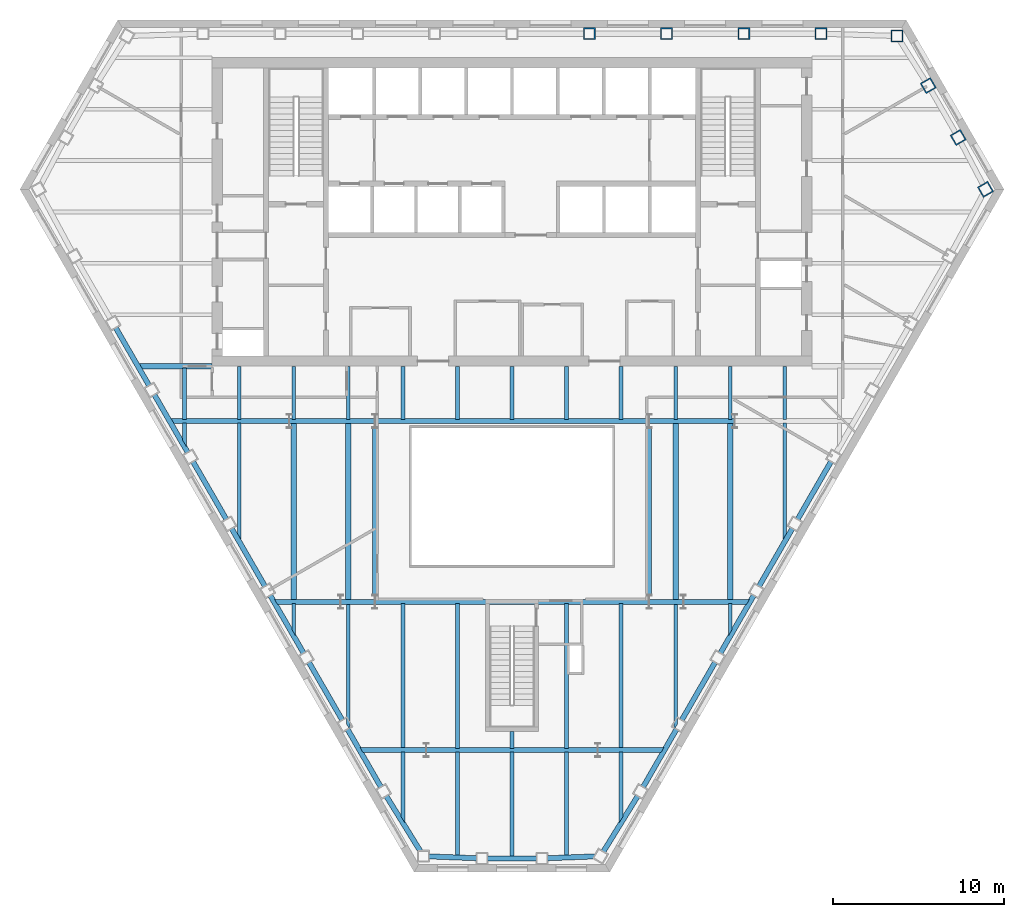
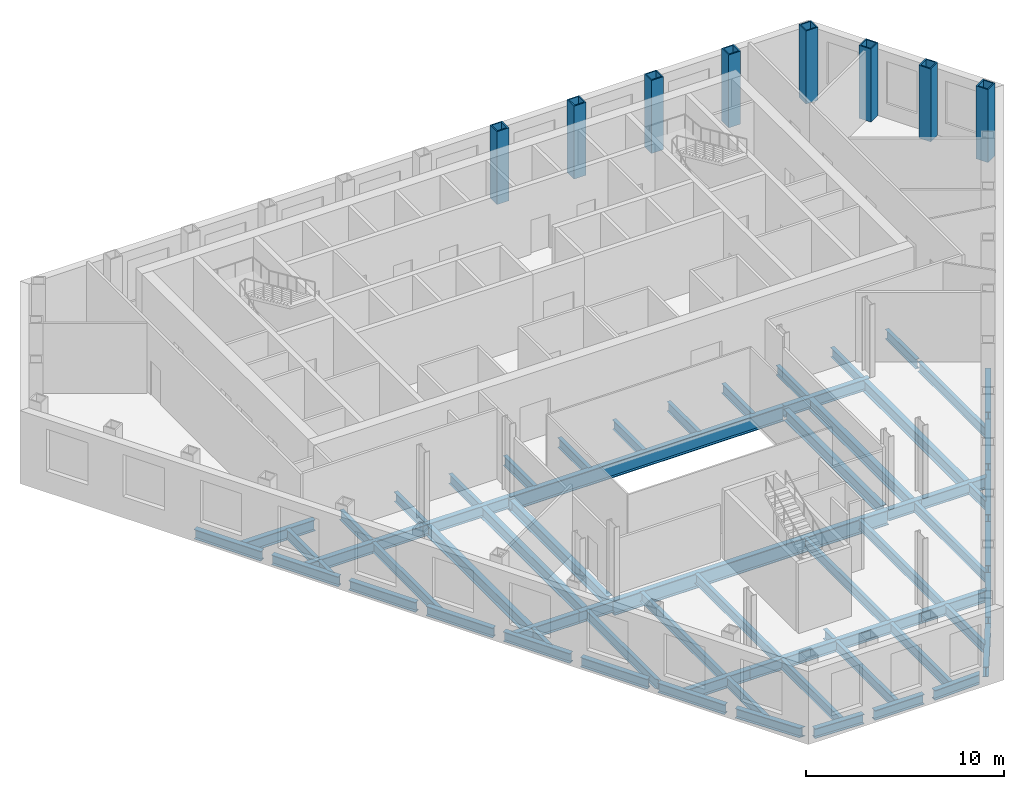
# One storey, part 2 of 10: 65 beams, 8 columns.
"""IFC4 building model written with IfcOpenShell, lengths in metres."""

from ifc_helpers import new_model, si_unit, direction, frame, origin, origin_2d, place, context, subcontext, project, spatial, hollow_rectangle, i_section, extrude, clip, halfspace, material, material_profile, profile_set, type_object, element, save


model = new_model("IFC4")

# Units and contexts
model_context = context("Model", 3, precision=1e-05, world=origin(), true_north=direction((0.0, 1.0)))
body_context = subcontext(model_context, "Body", "Model", "MODEL_VIEW")
ifc_project = project(units=[si_unit("LENGTHUNIT", "METRE"), si_unit("AREAUNIT", "SQUARE_METRE"), si_unit("VOLUMEUNIT", "CUBIC_METRE"), si_unit("PLANEANGLEUNIT", "RADIAN"), si_unit("MASSUNIT", "GRAM", prefix="KILO")], contexts=[model_context])

# Site, building, storey
site_placement = place(None, origin())
site = spatial("IfcSite", under=ifc_project, at=site_placement, CompositionType="ELEMENT")
building_placement = place(site_placement, origin())
building = spatial("IfcBuilding", under=site, at=building_placement, Name="Njiva Tower", CompositionType="ELEMENT")
storey_placement = place(building_placement, frame((0.0, 0.0, 51.3)))
storey = spatial("IfcBuildingStorey", under=building, at=storey_placement, Name="L10", CompositionType="ELEMENT", Elevation=51.3)

# Columns
ifc_material = material(Name="Steel S355 J2", Category="steel")
ifc_material_profile_1 = material_profile(ifc_material, hollow_rectangle(XDim=0.7, YDim=0.7, WallThickness=0.07, at=origin_2d()), Name="BOX 700x700x70")
ifc_profile_set_1 = profile_set([ifc_material_profile_1], Name="Steel S355 J2")
column_type = type_object("IfcColumnType", Name="C5 Perimeter tube column BOX 700x700x70", PredefinedType="COLUMN", material=ifc_profile_set_1)
for number, where, z_axis, x_axis, name in (
    (1, (22.461, 19.267, 0.0), (0.0, 0.0, 1.0), (-1.0, 0.0, 0.0), "Perimeter tube column S03-C01"),
    (2, (18.03, 19.4, 0.0), (0.0, 0.0, 1.0), (-1.0, 0.0, 0.0), "Perimeter tube column S03-C02"),
    (3, (13.523, 19.4, 0.0), (0.0, 0.0, 1.0), (-1.0, 0.0, 0.0), "Perimeter tube column S03-C03"),
    (4, (9.015, 19.4, 0.0), (0.0, 0.0, 1.0), (-1.0, 0.0, 0.0), "Perimeter tube column S03-C04"),
    (5, (4.508, 19.4, 0.0), (0.0, 0.0, 1.0), (-1.0, 0.0, 0.0), "Perimeter tube column S03-C05"),
    (6, (27.628, 10.319, 0.0), (0.0, 0.0, 1.0), (-0.5, 0.866025403784, 0.0), "Perimeter tube column S03-C37"),
    (7, (26.034, 13.346, 0.0), (0.0, 0.0, 1.0), (-0.5, 0.866025403784, 0.0), "Perimeter tube column S03-C38"),
    (8, (24.286, 16.373, 0.0), (0.0, 0.0, 1.0), (-0.5, 0.866025403784, 0.0), "Perimeter tube column S03-C39"),
):
    element("IfcColumn", number, at=place(storey_placement, frame(where, z_axis=z_axis, x_axis=x_axis)), inside=storey, type_object=column_type, Name=name, PredefinedType="COLUMN", context=body_context, shape_type="SweptSolid", body=[
        extrude(hollow_rectangle(XDim=0.7, YDim=0.7, WallThickness=0.07, at=origin_2d()), origin(), (0.0, 0.0, 1.0), 4.5),
    ])

# Beams
ifc_material_profile_2 = material_profile(ifc_material, i_section(OverallWidth=0.3, OverallDepth=0.69, WebThickness=0.0145, FlangeThickness=0.027, at=origin_2d()), Name="HEA 700")
ifc_profile_set_2 = profile_set([ifc_material_profile_2], Name="Steel S355 J2")
beam_type_1 = type_object("IfcBeamType", Name="B12 Long-span floor joist HEA 700", PredefinedType="JOIST", material=ifc_profile_set_2)
for number, where, z_axis, x_axis, name in (
    (9, (-12.733, -3.3, -0.545), (0.0, -1.0, 0.0), (1.0, 0.0, 0.0), "Long-span floor joist S03-B065"),
    (10, (-9.55, -3.3, -0.545), (0.0, -1.0, 0.0), (1.0, 0.0, 0.0), "Long-span floor joist S03-B069"),
    (11, (9.55, -3.3, -0.545), (0.0, -1.0, 0.0), (1.0, 0.0, 0.0), "Long-span floor joist S03-B088"),
    (12, (12.733, -3.3, -0.545), (0.0, -1.0, 0.0), (1.0, 0.0, 0.0), "Long-span floor joist S03-B091"),
):
    element("IfcBeam", number, at=place(storey_placement, frame(where, z_axis=z_axis, x_axis=x_axis)), inside=storey, type_object=beam_type_1, Name=name, PredefinedType="JOIST", context=body_context, shape_type="SweptSolid", body=[
        extrude(i_section(OverallWidth=0.3, OverallDepth=0.69, WebThickness=0.0145, FlangeThickness=0.027, at=origin_2d()), origin(), (0.0, 0.0, 1.0), 10.35),
    ])
ifc_material_profile_3 = material_profile(ifc_material, i_section(OverallWidth=0.22, OverallDepth=0.6, WebThickness=0.012, FlangeThickness=0.019, at=origin_2d()), Name="IPE 600")
ifc_profile_set_3 = profile_set([ifc_material_profile_3], Name="Steel S355 J2")
beam_type_2 = type_object("IfcBeamType", Name="B13 Floor joist IPE 600", PredefinedType="JOIST", material=ifc_profile_set_3)
beam_1_placement = place(storey_placement, frame((-15.917, -3.3, -0.5), z_axis=(0.0, -1.0, 0.0), x_axis=(1.0, 0.0, 0.0)))
element("IfcBeam", 13, at=beam_1_placement, inside=storey, type_object=beam_type_2, Name="Floor joist S03-B062", PredefinedType="JOIST", context=body_context, shape_type="Clipping", body=[
    clip(extrude(i_section(OverallWidth=0.22, OverallDepth=0.6, WebThickness=0.012, FlangeThickness=0.019, at=origin_2d()), origin(), (0.0, 0.0, 1.0), 6.942), halfspace(frame((-0.043, 0.0, 6.6564), z_axis=(-0.866026552831, 0.0, 0.499998009787), x_axis=(0.0, 1.0, 0.0)), False)),
])
beam_2_placement = place(storey_placement, frame((-9.55, -13.85, -0.5), z_axis=(0.0, -1.0, 0.0), x_axis=(1.0, 0.0, 0.0)))
element("IfcBeam", 14, at=beam_2_placement, inside=storey, type_object=beam_type_2, Name="Floor joist S03-B068", PredefinedType="JOIST", context=body_context, shape_type="Clipping", body=[
    clip(extrude(i_section(OverallWidth=0.22, OverallDepth=0.6, WebThickness=0.012, FlangeThickness=0.019, at=origin_2d()), origin(), (0.0, 0.0, 1.0), 7.42), halfspace(frame((-0.0433, 0.0, 7.1338), z_axis=(-0.866026552831, 0.0, 0.499998009787), x_axis=(0.0, 1.0, 0.0)), False)),
])
for number, where, z_axis, x_axis, name in (
    (15, (-6.367, -13.851, -0.5), (0.0, -1.0, 0.0), (1.0, 0.0, 0.0), "Floor joist S03-B072"),
    (16, (-3.183, -13.851, -0.5), (0.0, -1.0, 0.0), (1.0, 0.0, 0.0), "Floor joist S03-B075"),
):
    element("IfcBeam", number, at=place(storey_placement, frame(where, z_axis=z_axis, x_axis=x_axis)), inside=storey, type_object=beam_type_2, Name=name, PredefinedType="JOIST", context=body_context, shape_type="SweptSolid", body=[
        extrude(i_section(OverallWidth=0.22, OverallDepth=0.6, WebThickness=0.012, FlangeThickness=0.019, at=origin_2d()), origin(), (0.0, 0.0, 1.0), 8.449),
    ])
beam_3_placement = place(storey_placement, frame((-3.183, -22.5, -0.5), z_axis=(0.0, -1.0, 0.0), x_axis=(1.0, 0.0, 0.0)))
element("IfcBeam", 17, at=beam_3_placement, inside=storey, type_object=beam_type_2, Name="Floor joist S03-B074", PredefinedType="JOIST", context=body_context, shape_type="SweptSolid", body=[
    extrude(i_section(OverallWidth=0.22, OverallDepth=0.6, WebThickness=0.012, FlangeThickness=0.019, at=origin_2d()), origin(), (0.0, 0.0, 1.0), 6.059),
])
beam_4_placement = place(storey_placement, frame((0.0, -22.5, -0.5), z_axis=(0.0, -1.0, 0.0), x_axis=(1.0, 0.0, 0.0)))
element("IfcBeam", 18, at=beam_4_placement, inside=storey, type_object=beam_type_2, Name="Floor joist S03-B077", PredefinedType="JOIST", context=body_context, shape_type="SweptSolid", body=[
    extrude(i_section(OverallWidth=0.22, OverallDepth=0.6, WebThickness=0.012, FlangeThickness=0.019, at=origin_2d()), origin(), (0.0, 0.0, 1.0), 6.119),
])
beam_5_placement = place(storey_placement, frame((3.183, -13.851, -0.5), z_axis=(0.0, -1.0, 0.0), x_axis=(1.0, 0.0, 0.0)))
element("IfcBeam", 19, at=beam_5_placement, inside=storey, type_object=beam_type_2, Name="Floor joist S03-B081", PredefinedType="JOIST", context=body_context, shape_type="SweptSolid", body=[
    extrude(i_section(OverallWidth=0.22, OverallDepth=0.6, WebThickness=0.012, FlangeThickness=0.019, at=origin_2d()), origin(), (0.0, 0.0, 1.0), 8.449),
])
beam_6_placement = place(storey_placement, frame((3.183, -22.5, -0.5), z_axis=(0.0, -1.0, 0.0), x_axis=(1.0, 0.0, 0.0)))
element("IfcBeam", 20, at=beam_6_placement, inside=storey, type_object=beam_type_2, Name="Floor joist S03-B080", PredefinedType="JOIST", context=body_context, shape_type="SweptSolid", body=[
    extrude(i_section(OverallWidth=0.22, OverallDepth=0.6, WebThickness=0.012, FlangeThickness=0.019, at=origin_2d()), origin(), (0.0, 0.0, 1.0), 6.059),
])
beam_7_placement = place(storey_placement, frame((6.367, -13.851, -0.5), z_axis=(0.0, -1.0, 0.0), x_axis=(1.0, 0.0, 0.0)))
element("IfcBeam", 21, at=beam_7_placement, inside=storey, type_object=beam_type_2, Name="Floor joist S03-B084", PredefinedType="JOIST", context=body_context, shape_type="SweptSolid", body=[
    extrude(i_section(OverallWidth=0.22, OverallDepth=0.6, WebThickness=0.012, FlangeThickness=0.019, at=origin_2d()), origin(), (0.0, 0.0, 1.0), 8.449),
])
beam_8_placement = place(storey_placement, frame((9.55, -13.85, -0.5), z_axis=(0.0, -1.0, 0.0), x_axis=(1.0, 0.0, 0.0)))
element("IfcBeam", 22, at=beam_8_placement, inside=storey, type_object=beam_type_2, Name="Floor joist S03-B087", PredefinedType="JOIST", context=body_context, shape_type="Clipping", body=[
    clip(extrude(i_section(OverallWidth=0.22, OverallDepth=0.6, WebThickness=0.012, FlangeThickness=0.019, at=origin_2d()), origin(), (0.0, 0.0, 1.0), 7.42), halfspace(frame((0.0433, 0.0, 7.1338), z_axis=(0.866026552831, 0.0, 0.499998009787), x_axis=(0.0, 1.0, 0.0)), False)),
])
beam_9_placement = place(storey_placement, frame((15.917, -3.3, -0.5), z_axis=(0.0, -1.0, 0.0), x_axis=(1.0, 0.0, 0.0)))
element("IfcBeam", 23, at=beam_9_placement, inside=storey, type_object=beam_type_2, Name="Floor joist S03-B093", PredefinedType="JOIST", context=body_context, shape_type="Clipping", body=[
    clip(extrude(i_section(OverallWidth=0.22, OverallDepth=0.6, WebThickness=0.012, FlangeThickness=0.019, at=origin_2d()), origin(), (0.0, 0.0, 1.0), 6.942), halfspace(frame((0.043, 0.0, 6.6564), z_axis=(0.866026552831, 0.0, 0.499998009787), x_axis=(0.0, 1.0, 0.0)), False)),
])
ifc_material_profile_4 = material_profile(ifc_material, i_section(OverallWidth=0.22, OverallDepth=0.6, WebThickness=0.012, FlangeThickness=0.019, at=origin_2d()), Name="IPE 600")
ifc_profile_set_4 = profile_set([ifc_material_profile_4], Name="Steel S355 J2")
beam_type_3 = type_object("IfcBeamType", Name="B14 Short-span floor joist IPE 600", PredefinedType="JOIST", material=ifc_profile_set_4)
beam_10_placement = place(storey_placement, frame((-19.1, -0.1, -0.5), z_axis=(0.0, -1.0, 0.0), x_axis=(1.0, 0.0, 0.0)))
element("IfcBeam", 24, at=beam_10_placement, inside=storey, type_object=beam_type_3, Name="Short-span floor joist S03-B061", PredefinedType="JOIST", context=body_context, shape_type="SweptSolid", body=[
    extrude(i_section(OverallWidth=0.22, OverallDepth=0.6, WebThickness=0.012, FlangeThickness=0.019, at=origin_2d()), origin(), (0.0, 0.0, 1.0), 3.0),
])
beam_11_placement = place(storey_placement, frame((-19.1, -3.3, -0.5), z_axis=(0.0, -1.0, 0.0), x_axis=(1.0, 0.0, 0.0)))
element("IfcBeam", 25, at=beam_11_placement, inside=storey, type_object=beam_type_3, Name="Short-span floor joist S03-B060", PredefinedType="JOIST", context=body_context, shape_type="Clipping", body=[
    clip(extrude(i_section(OverallWidth=0.22, OverallDepth=0.6, WebThickness=0.012, FlangeThickness=0.019, at=origin_2d()), origin(), (0.0, 0.0, 1.0), 1.429), halfspace(frame((-0.0433, 0.0, 1.1427), z_axis=(-0.866026552831, 0.0, 0.499998009787), x_axis=(0.0, 1.0, 0.0)), False)),
])
for number, where, z_axis, x_axis, name in (
    (26, (-15.917, -0.005, -0.5), (0.0, -1.0, 0.0), (1.0, 0.0, 0.0), "Short-span floor joist S03-B063"),
    (27, (-12.733, -0.005, -0.5), (0.0, -1.0, 0.0), (1.0, 0.0, 0.0), "Short-span floor joist S03-B066"),
):
    element("IfcBeam", number, at=place(storey_placement, frame(where, z_axis=z_axis, x_axis=x_axis)), inside=storey, type_object=beam_type_3, Name=name, PredefinedType="JOIST", context=body_context, shape_type="SweptSolid", body=[
        extrude(i_section(OverallWidth=0.22, OverallDepth=0.6, WebThickness=0.012, FlangeThickness=0.019, at=origin_2d()), origin(), (0.0, 0.0, 1.0), 3.095),
    ])
beam_12_placement = place(storey_placement, frame((-12.733, -13.85, -0.5), z_axis=(0.0, -1.0, 0.0), x_axis=(1.0, 0.0, 0.0)))
element("IfcBeam", 28, at=beam_12_placement, inside=storey, type_object=beam_type_3, Name="Short-span floor joist S03-B064", PredefinedType="JOIST", context=body_context, shape_type="Clipping", body=[
    clip(extrude(i_section(OverallWidth=0.22, OverallDepth=0.6, WebThickness=0.012, FlangeThickness=0.019, at=origin_2d()), origin(), (0.0, 0.0, 1.0), 1.906), halfspace(frame((-0.0436, 0.0, 1.6201), z_axis=(-0.866026552831, 0.0, 0.499998009787), x_axis=(0.0, 1.0, 0.0)), False)),
])
beam_13_placement = place(storey_placement, frame((-9.55, -0.005, -0.5), z_axis=(0.0, -1.0, 0.0), x_axis=(1.0, 0.0, 0.0)))
element("IfcBeam", 29, at=beam_13_placement, inside=storey, type_object=beam_type_3, Name="Short-span floor joist S03-B070", PredefinedType="JOIST", context=body_context, shape_type="SweptSolid", body=[
    extrude(i_section(OverallWidth=0.22, OverallDepth=0.6, WebThickness=0.012, FlangeThickness=0.019, at=origin_2d()), origin(), (0.0, 0.0, 1.0), 3.095),
])
beam_14_placement = place(storey_placement, frame((-6.367, -0.005, -0.5), z_axis=(0.0, -1.0, 0.0), x_axis=(1.0, 0.0, 0.0)))
element("IfcBeam", 30, at=beam_14_placement, inside=storey, type_object=beam_type_3, Name="Short-span floor joist S03-B073", PredefinedType="JOIST", context=body_context, shape_type="SweptSolid", body=[
    extrude(i_section(OverallWidth=0.22, OverallDepth=0.6, WebThickness=0.012, FlangeThickness=0.019, at=origin_2d()), origin(), (0.0, 0.0, 1.0), 3.094),
])
beam_15_placement = place(storey_placement, frame((-6.367, -22.5, -0.5), z_axis=(0.0, -1.0, 0.0), x_axis=(1.0, 0.0, 0.0)))
element("IfcBeam", 31, at=beam_15_placement, inside=storey, type_object=beam_type_3, Name="Short-span floor joist S03-B071", PredefinedType="JOIST", context=body_context, shape_type="Clipping", body=[
    clip(extrude(i_section(OverallWidth=0.22, OverallDepth=0.6, WebThickness=0.012, FlangeThickness=0.019, at=origin_2d()), origin(), (0.0, 0.0, 1.0), 4.151), halfspace(frame((-0.0422, 0.0, 3.8844), z_axis=(-0.850620428373, 0.0, 0.525780264783), x_axis=(0.0, 1.0, 0.0)), False)),
])
for number, where, z_axis, x_axis, name in (
    (32, (-3.183, -0.005, -0.5), (0.0, -1.0, 0.0), (1.0, 0.0, 0.0), "Short-span floor joist S03-B076"),
    (33, (0.0, -0.005, -0.5), (0.0, -1.0, 0.0), (1.0, 0.0, 0.0), "Short-span floor joist S03-B079"),
):
    element("IfcBeam", number, at=place(storey_placement, frame(where, z_axis=z_axis, x_axis=x_axis)), inside=storey, type_object=beam_type_3, Name=name, PredefinedType="JOIST", context=body_context, shape_type="SweptSolid", body=[
        extrude(i_section(OverallWidth=0.22, OverallDepth=0.6, WebThickness=0.012, FlangeThickness=0.019, at=origin_2d()), origin(), (0.0, 0.0, 1.0), 3.094),
    ])
beam_16_placement = place(storey_placement, frame((0.0, -21.3, -0.5), z_axis=(0.0, -1.0, 0.0), x_axis=(1.0, 0.0, 0.0)))
element("IfcBeam", 34, at=beam_16_placement, inside=storey, type_object=beam_type_3, Name="Short-span floor joist S03-B078", PredefinedType="JOIST", context=body_context, shape_type="SweptSolid", body=[
    extrude(i_section(OverallWidth=0.22, OverallDepth=0.6, WebThickness=0.012, FlangeThickness=0.019, at=origin_2d()), origin(), (0.0, 0.0, 1.0), 1.0),
])
for number, where, z_axis, x_axis, name in (
    (35, (3.183, -0.005, -0.5), (0.0, -1.0, 0.0), (1.0, 0.0, 0.0), "Short-span floor joist S03-B082"),
    (36, (6.367, -0.005, -0.5), (0.0, -1.0, 0.0), (1.0, 0.0, 0.0), "Short-span floor joist S03-B085"),
):
    element("IfcBeam", number, at=place(storey_placement, frame(where, z_axis=z_axis, x_axis=x_axis)), inside=storey, type_object=beam_type_3, Name=name, PredefinedType="JOIST", context=body_context, shape_type="SweptSolid", body=[
        extrude(i_section(OverallWidth=0.22, OverallDepth=0.6, WebThickness=0.012, FlangeThickness=0.019, at=origin_2d()), origin(), (0.0, 0.0, 1.0), 3.094),
    ])
beam_17_placement = place(storey_placement, frame((6.367, -22.5, -0.5), z_axis=(0.0, -1.0, 0.0), x_axis=(1.0, 0.0, 0.0)))
element("IfcBeam", 37, at=beam_17_placement, inside=storey, type_object=beam_type_3, Name="Short-span floor joist S03-B083", PredefinedType="JOIST", context=body_context, shape_type="Clipping", body=[
    clip(extrude(i_section(OverallWidth=0.22, OverallDepth=0.6, WebThickness=0.012, FlangeThickness=0.019, at=origin_2d()), origin(), (0.0, 0.0, 1.0), 4.151), halfspace(frame((0.0422, 0.0, 3.8844), z_axis=(0.850620428373, 0.0, 0.525780264783), x_axis=(0.0, 1.0, 0.0)), False)),
])
for number, where, z_axis, x_axis, name in (
    (38, (9.55, -0.005, -0.5), (0.0, -1.0, 0.0), (1.0, 0.0, 0.0), "Short-span floor joist S03-B089"),
    (39, (12.733, -0.005, -0.5), (0.0, -1.0, 0.0), (1.0, 0.0, 0.0), "Short-span floor joist S03-B092"),
):
    element("IfcBeam", number, at=place(storey_placement, frame(where, z_axis=z_axis, x_axis=x_axis)), inside=storey, type_object=beam_type_3, Name=name, PredefinedType="JOIST", context=body_context, shape_type="SweptSolid", body=[
        extrude(i_section(OverallWidth=0.22, OverallDepth=0.6, WebThickness=0.012, FlangeThickness=0.019, at=origin_2d()), origin(), (0.0, 0.0, 1.0), 3.095),
    ])
beam_18_placement = place(storey_placement, frame((12.733, -13.85, -0.5), z_axis=(0.0, -1.0, 0.0), x_axis=(1.0, 0.0, 0.0)))
element("IfcBeam", 40, at=beam_18_placement, inside=storey, type_object=beam_type_3, Name="Short-span floor joist S03-B090", PredefinedType="JOIST", context=body_context, shape_type="Clipping", body=[
    clip(extrude(i_section(OverallWidth=0.22, OverallDepth=0.6, WebThickness=0.012, FlangeThickness=0.019, at=origin_2d()), origin(), (0.0, 0.0, 1.0), 1.906), halfspace(frame((0.0436, 0.0, 1.6201), z_axis=(0.866026552831, 0.0, 0.499998009787), x_axis=(0.0, 1.0, 0.0)), False)),
])
beam_19_placement = place(storey_placement, frame((15.917, -0.005, -0.5), z_axis=(0.0, -1.0, 0.0), x_axis=(1.0, 0.0, 0.0)))
element("IfcBeam", 41, at=beam_19_placement, inside=storey, type_object=beam_type_3, Name="Short-span floor joist S03-B094", PredefinedType="JOIST", context=body_context, shape_type="SweptSolid", body=[
    extrude(i_section(OverallWidth=0.22, OverallDepth=0.6, WebThickness=0.012, FlangeThickness=0.019, at=origin_2d()), origin(), (0.0, 0.0, 1.0), 3.095),
])
ifc_material_profile_5 = material_profile(ifc_material, i_section(OverallWidth=0.3, OverallDepth=0.69, WebThickness=0.0145, FlangeThickness=0.027, at=origin_2d()), Name="HEA 700")
ifc_profile_set_5 = profile_set([ifc_material_profile_5], Name="Steel S355 J2")
beam_type_4 = type_object("IfcBeamType", Name="B15 Floor girder HEA 700", PredefinedType="BEAM", material=ifc_profile_set_5)
beam_20_placement = place(storey_placement, frame((-19.968, -3.2, -0.545), z_axis=(1.0, 0.0, 0.0), x_axis=(0.0, 1.0, 0.0)))
element("IfcBeam", 42, at=beam_20_placement, inside=storey, type_object=beam_type_4, Name="Floor girder S03-B016", PredefinedType="BEAM", context=body_context, shape_type="Clipping", body=[
    clip(extrude(i_section(OverallWidth=0.3, OverallDepth=0.69, WebThickness=0.0145, FlangeThickness=0.027, at=origin_2d()), origin(), (0.0, 0.0, 1.0), 6.968), halfspace(frame((-0.025, 0.0, 0.1217), z_axis=(-0.499998009787, 0.0, -0.866026552831), x_axis=(0.0, -1.0, 0.0)), False)),
])
for number, where, z_axis, x_axis, name in (
    (43, (-13.0, -3.2, -0.545), (1.0, 0.0, 0.0), (0.0, 1.0, 0.0), "Floor girder S03-B018"),
    (44, (8.0, -3.2, -0.545), (1.0, 0.0, 0.0), (0.0, 1.0, 0.0), "Floor girder S03-B024"),
):
    element("IfcBeam", number, at=place(storey_placement, frame(where, z_axis=z_axis, x_axis=x_axis)), inside=storey, type_object=beam_type_4, Name=name, PredefinedType="BEAM", context=body_context, shape_type="SweptSolid", body=[
        extrude(i_section(OverallWidth=0.3, OverallDepth=0.69, WebThickness=0.0145, FlangeThickness=0.027, at=origin_2d()), origin(), (0.0, 0.0, 1.0), 5.0),
    ])
ifc_material_profile_6 = material_profile(ifc_material, i_section(OverallWidth=0.3, OverallDepth=0.69, WebThickness=0.0145, FlangeThickness=0.027, at=origin_2d()), Name="HEA 700")
ifc_profile_set_6 = profile_set([ifc_material_profile_6], Name="Steel S355 J2")
beam_type_5 = type_object("IfcBeamType", Name="B16 Short-span floor girder HEA 700", PredefinedType="BEAM", material=ifc_profile_set_6)
beam_21_placement = place(storey_placement, frame((-13.877, -13.75, -0.545), z_axis=(1.0, 0.0, 0.0), x_axis=(0.0, 1.0, 0.0)))
element("IfcBeam", 45, at=beam_21_placement, inside=storey, type_object=beam_type_5, Name="Short-span floor girder S03-B017", PredefinedType="BEAM", context=body_context, shape_type="Clipping", body=[
    clip(extrude(i_section(OverallWidth=0.3, OverallDepth=0.69, WebThickness=0.0145, FlangeThickness=0.027, at=origin_2d()), origin(), (0.0, 0.0, 1.0), 3.877), halfspace(frame((-0.025, 0.0, 0.1217), z_axis=(-0.499998009787, 0.0, -0.866026552831), x_axis=(0.0, -1.0, 0.0)), False)),
])
for number, where, z_axis, x_axis, name in (
    (46, (-10.0, -13.75, -0.545), (1.0, 0.0, 0.0), (0.0, 1.0, 0.0), "Short-span floor girder S03-B019"),
    (47, (8.0, -13.75, -0.545), (1.0, 0.0, 0.0), (0.0, 1.0, 0.0), "Short-span floor girder S03-B023"),
):
    element("IfcBeam", number, at=place(storey_placement, frame(where, z_axis=z_axis, x_axis=x_axis)), inside=storey, type_object=beam_type_5, Name=name, PredefinedType="BEAM", context=body_context, shape_type="SweptSolid", body=[
        extrude(i_section(OverallWidth=0.3, OverallDepth=0.69, WebThickness=0.0145, FlangeThickness=0.027, at=origin_2d()), origin(), (0.0, 0.0, 1.0), 2.0),
    ])
beam_22_placement = place(storey_placement, frame((10.0, -13.75, -0.545), z_axis=(1.0, 0.0, 0.0), x_axis=(0.0, 1.0, 0.0)))
element("IfcBeam", 48, at=beam_22_placement, inside=storey, type_object=beam_type_5, Name="Short-span floor girder S03-B025", PredefinedType="BEAM", context=body_context, shape_type="Clipping", body=[
    clip(extrude(i_section(OverallWidth=0.3, OverallDepth=0.69, WebThickness=0.0145, FlangeThickness=0.027, at=origin_2d()), origin(), (0.0, 0.0, 1.0), 3.877), halfspace(frame((-0.025, 0.0, 3.7553), z_axis=(-0.499998009787, 0.0, 0.866026552831), x_axis=(0.0, 1.0, 0.0)), False)),
])
beam_23_placement = place(storey_placement, frame((-8.883, -22.4, -0.545), z_axis=(1.0, 0.0, 0.0), x_axis=(0.0, 1.0, 0.0)))
element("IfcBeam", 49, at=beam_23_placement, inside=storey, type_object=beam_type_5, Name="Short-span floor girder S03-B020", PredefinedType="BEAM", context=body_context, shape_type="Clipping", body=[
    clip(extrude(i_section(OverallWidth=0.3, OverallDepth=0.69, WebThickness=0.0145, FlangeThickness=0.027, at=origin_2d()), origin(), (0.0, 0.0, 1.0), 3.883), halfspace(frame((-0.025, 0.0, 0.1218), z_axis=(-0.499998009787, 0.0, -0.866026552831), x_axis=(0.0, -1.0, 0.0)), False)),
])
beam_24_placement = place(storey_placement, frame((5.0, -22.4, -0.545), z_axis=(1.0, 0.0, 0.0), x_axis=(0.0, 1.0, 0.0)))
element("IfcBeam", 50, at=beam_24_placement, inside=storey, type_object=beam_type_5, Name="Short-span floor girder S03-B022", PredefinedType="BEAM", context=body_context, shape_type="Clipping", body=[
    clip(extrude(i_section(OverallWidth=0.3, OverallDepth=0.69, WebThickness=0.0145, FlangeThickness=0.027, at=origin_2d()), origin(), (0.0, 0.0, 1.0), 3.883), halfspace(frame((-0.025, 0.0, 3.7612), z_axis=(-0.499998009787, 0.0, 0.866026552831), x_axis=(0.0, 1.0, 0.0)), False)),
])
beam_25_placement = place(storey_placement, frame((-21.815, 0.0, -0.545), z_axis=(1.0, 0.0, 0.0), x_axis=(0.0, 1.0, 0.0)))
element("IfcBeam", 51, at=beam_25_placement, inside=storey, type_object=beam_type_5, Name="Short-span floor girder S03-B015", PredefinedType="BEAM", context=body_context, shape_type="Clipping", body=[
    clip(extrude(i_section(OverallWidth=0.3, OverallDepth=0.69, WebThickness=0.0145, FlangeThickness=0.027, at=origin_2d()), origin(), (0.0, 0.0, 1.0), 4.315), halfspace(frame((-0.025, 0.0, 0.1211), z_axis=(-0.499998009787, 0.0, -0.866026552831), x_axis=(0.0, -1.0, 0.0)), False)),
])
ifc_material_profile_7 = material_profile(ifc_material, i_section(OverallWidth=0.3, OverallDepth=0.69, WebThickness=0.0145, FlangeThickness=0.027, at=origin_2d()), Name="HEA 700")
ifc_profile_set_7 = profile_set([ifc_material_profile_7], Name="Steel S355 J2")
beam_type_6 = type_object("IfcBeamType", Name="B17 Long-span floor girder HEA 700", PredefinedType="BEAM", material=ifc_profile_set_7)
beam_26_placement = place(storey_placement, frame((-5.0, -22.4, -0.545), z_axis=(1.0, 0.0, 0.0), x_axis=(0.0, 1.0, 0.0)))
element("IfcBeam", 52, at=beam_26_placement, inside=storey, type_object=beam_type_6, Name="Long-span floor girder S03-B021", PredefinedType="BEAM", context=body_context, shape_type="SweptSolid", body=[
    extrude(i_section(OverallWidth=0.3, OverallDepth=0.69, WebThickness=0.0145, FlangeThickness=0.027, at=origin_2d()), origin(), (0.0, 0.0, 1.0), 10.0),
])
ifc_material_profile_8 = material_profile(ifc_material, i_section(OverallWidth=0.3, OverallDepth=0.69, WebThickness=0.0145, FlangeThickness=0.027, at=origin_2d()), Name="HEA 700")
ifc_profile_set_8 = profile_set([ifc_material_profile_8], Name="Steel S355 J2")
beam_type_7 = type_object("IfcBeamType", Name="B18 Long-span atrium trimmer beam HEA 700", PredefinedType="BEAM", material=ifc_profile_set_8)
for number, where, z_axis, x_axis, name in (
    (53, (8.0, -13.393, -0.545), (0.0, 1.0, 0.0), (-1.0, 0.0, 0.0), "Long-span atrium trimmer beam S03-B102"),
    (54, (-8.0, -3.557, -0.545), (0.0, -1.0, 0.0), (1.0, 0.0, 0.0), "Long-span atrium trimmer beam S03-B099"),
):
    element("IfcBeam", number, at=place(storey_placement, frame(where, z_axis=z_axis, x_axis=x_axis)), inside=storey, type_object=beam_type_7, Name=name, PredefinedType="BEAM", context=body_context, shape_type="SweptSolid", body=[
        extrude(i_section(OverallWidth=0.3, OverallDepth=0.69, WebThickness=0.0145, FlangeThickness=0.027, at=origin_2d()), origin(), (0.0, 0.0, 1.0), 9.836),
    ])
ifc_material_profile_9 = material_profile(ifc_material, i_section(OverallWidth=0.3, OverallDepth=0.6, WebThickness=0.0155, FlangeThickness=0.03, at=origin_2d()), Name="HEB 600")
ifc_profile_set_9 = profile_set([ifc_material_profile_9], Name="Steel S355 J2")
beam_type_8 = type_object("IfcBeamType", Name="B3 Short-span spandrel beam HEB 600", PredefinedType="SPANDREL", material=ifc_profile_set_9)
beam_27_placement = place(storey_placement, frame((-23.124, 2.251, -0.5), z_axis=(0.500047346826, -0.865998066356, 0.0), x_axis=(0.865998066356, 0.500047346826, 0.0)))
element("IfcBeam", 55, at=beam_27_placement, inside=storey, type_object=beam_type_8, Name="Short-span spandrel beam S03-B113", PredefinedType="SPANDREL", context=body_context, shape_type="SweptSolid", body=[
    extrude(i_section(OverallWidth=0.3, OverallDepth=0.6, WebThickness=0.0155, FlangeThickness=0.03, at=origin_2d()), origin(), (0.0, 0.0, 1.0), 3.9076),
])
beam_28_placement = place(storey_placement, frame((-20.87, -1.653, -0.5), z_axis=(0.500158186394, -0.865934055563, 0.0), x_axis=(0.865934055563, 0.500158186394, 0.0)))
element("IfcBeam", 56, at=beam_28_placement, inside=storey, type_object=beam_type_8, Name="Short-span spandrel beam S03-B117", PredefinedType="SPANDREL", context=body_context, shape_type="SweptSolid", body=[
    extrude(i_section(OverallWidth=0.3, OverallDepth=0.6, WebThickness=0.0155, FlangeThickness=0.03, at=origin_2d()), origin(), (0.0, 0.0, 1.0), 3.9068),
])
for number, where, z_axis, x_axis, name in (
    (57, (-18.616, -5.556, -0.5), (0.500047346826, -0.865998066356, 0.0), (0.865998066356, 0.500047346826, 0.0), "Short-span spandrel beam S03-B119"),
    (58, (-16.362, -9.46, -0.5), (0.500047346826, -0.865998066356, 0.0), (0.865998066356, 0.500047346826, 0.0), "Short-span spandrel beam S03-B123"),
):
    element("IfcBeam", number, at=place(storey_placement, frame(where, z_axis=z_axis, x_axis=x_axis)), inside=storey, type_object=beam_type_8, Name=name, PredefinedType="SPANDREL", context=body_context, shape_type="SweptSolid", body=[
        extrude(i_section(OverallWidth=0.3, OverallDepth=0.6, WebThickness=0.0155, FlangeThickness=0.03, at=origin_2d()), origin(), (0.0, 0.0, 1.0), 3.9076),
    ])
beam_29_placement = place(storey_placement, frame((-14.108, -13.364, -0.5), z_axis=(0.499966215292, -0.866044908516, 0.0), x_axis=(0.866044908516, 0.499966215292, 0.0)))
element("IfcBeam", 59, at=beam_29_placement, inside=storey, type_object=beam_type_8, Name="Short-span spandrel beam S03-B125", PredefinedType="SPANDREL", context=body_context, shape_type="SweptSolid", body=[
    extrude(i_section(OverallWidth=0.3, OverallDepth=0.6, WebThickness=0.0155, FlangeThickness=0.03, at=origin_2d()), origin(), (0.0, 0.0, 1.0), 3.9063),
])
for number, where, z_axis, x_axis, name in (
    (60, (-11.855, -17.267, -0.5), (0.500047346826, -0.865998066356, 0.0), (0.865998066356, 0.500047346826, 0.0), "Short-span spandrel beam S03-B129"),
    (61, (-9.601, -21.171, -0.5), (0.500047346826, -0.865998066356, 0.0), (0.865998066356, 0.500047346826, 0.0), "Short-span spandrel beam S03-B131"),
):
    element("IfcBeam", number, at=place(storey_placement, frame(where, z_axis=z_axis, x_axis=x_axis)), inside=storey, type_object=beam_type_8, Name=name, PredefinedType="SPANDREL", context=body_context, shape_type="SweptSolid", body=[
        extrude(i_section(OverallWidth=0.3, OverallDepth=0.6, WebThickness=0.0155, FlangeThickness=0.03, at=origin_2d()), origin(), (0.0, 0.0, 1.0), 3.9076),
    ])
beam_30_placement = place(storey_placement, frame((-7.337, -25.073, -0.5), z_axis=(0.525707123984, -0.850665633368, 0.0), x_axis=(0.850665633368, 0.525707123984, 0.0)))
element("IfcBeam", 62, at=beam_30_placement, inside=storey, type_object=beam_type_8, Name="Short-span spandrel beam S03-B134", PredefinedType="SPANDREL", context=body_context, shape_type="Clipping", body=[
    clip(extrude(i_section(OverallWidth=0.3, OverallDepth=0.6, WebThickness=0.0155, FlangeThickness=0.03, at=origin_2d()), origin(), (0.0, 0.0, 1.0), 3.8889), halfspace(frame((-0.0263, 0.0, 3.7596), z_axis=(-0.525707123984, 0.0, 0.850665633368), x_axis=(0.0, 1.0, 0.0)), False)),
])
beam_31_placement = place(storey_placement, frame((-4.861, -28.597, -0.5), z_axis=(0.999233589101, -0.039143765955, 0.0), x_axis=(0.039143765955, 0.999233589101, 0.0)))
element("IfcBeam", 63, at=beam_31_placement, inside=storey, type_object=beam_type_8, Name="Short-span spandrel beam S03-B137", PredefinedType="SPANDREL", context=body_context, shape_type="SweptSolid", body=[
    extrude(i_section(OverallWidth=0.3, OverallDepth=0.6, WebThickness=0.0155, FlangeThickness=0.03, at=origin_2d()), origin(), (0.0, 0.0, 1.0), 2.8102),
])
beam_32_placement = place(storey_placement, frame((-1.448, -28.719, -0.5), z_axis=(1.0, 0.0, 0.0), x_axis=(0.0, 1.0, 0.0)))
element("IfcBeam", 64, at=beam_32_placement, inside=storey, type_object=beam_type_8, Name="Short-span spandrel beam S03-B140", PredefinedType="SPANDREL", context=body_context, shape_type="SweptSolid", body=[
    extrude(i_section(OverallWidth=0.3, OverallDepth=0.6, WebThickness=0.0155, FlangeThickness=0.03, at=origin_2d()), origin(), (0.0, 0.0, 1.0), 2.896),
])
beam_33_placement = place(storey_placement, frame((2.053, -28.707, -0.5), z_axis=(0.999234174403, 0.039128821913, 0.0), x_axis=(-0.039128821913, 0.999234174403, 0.0)))
element("IfcBeam", 65, at=beam_33_placement, inside=storey, type_object=beam_type_8, Name="Short-span spandrel beam S03-B142", PredefinedType="SPANDREL", context=body_context, shape_type="Clipping", body=[
    clip(extrude(i_section(OverallWidth=0.3, OverallDepth=0.6, WebThickness=0.0155, FlangeThickness=0.03, at=origin_2d()), origin(), (0.0, 0.0, 1.0), 2.8751), halfspace(frame((-0.0269, 0.0, 2.7436), z_axis=(-0.53350169727, 0.0, 0.845798994448), x_axis=(0.0, 1.0, 0.0)), False)),
])
beam_34_placement = place(storey_placement, frame((5.326, -28.327, -0.5), z_axis=(0.525715487097, 0.850660464949, 0.0), x_axis=(-0.850660464949, 0.525715487097, 0.0)))
element("IfcBeam", 66, at=beam_34_placement, inside=storey, type_object=beam_type_8, Name="Short-span spandrel beam S03-B146", PredefinedType="SPANDREL", context=body_context, shape_type="SweptSolid", body=[
    extrude(i_section(OverallWidth=0.3, OverallDepth=0.6, WebThickness=0.0155, FlangeThickness=0.03, at=origin_2d()), origin(), (0.0, 0.0, 1.0), 3.8253),
])
for number, where, z_axis, x_axis, name in (
    (67, (7.647, -24.555, -0.5), (0.500047346826, 0.865998066356, 0.0), (-0.865998066356, 0.500047346826, 0.0), "Short-span spandrel beam S03-B148"),
    (68, (9.901, -20.651, -0.5), (0.500047346826, 0.865998066356, 0.0), (-0.865998066356, 0.500047346826, 0.0), "Short-span spandrel beam S03-B152"),
):
    element("IfcBeam", number, at=place(storey_placement, frame(where, z_axis=z_axis, x_axis=x_axis)), inside=storey, type_object=beam_type_8, Name=name, PredefinedType="SPANDREL", context=body_context, shape_type="SweptSolid", body=[
        extrude(i_section(OverallWidth=0.3, OverallDepth=0.6, WebThickness=0.0155, FlangeThickness=0.03, at=origin_2d()), origin(), (0.0, 0.0, 1.0), 3.9076),
    ])
beam_35_placement = place(storey_placement, frame((12.155, -16.747, -0.5), z_axis=(0.499966215292, 0.866044908516, 0.0), x_axis=(-0.866044908516, 0.499966215292, 0.0)))
element("IfcBeam", 69, at=beam_35_placement, inside=storey, type_object=beam_type_8, Name="Short-span spandrel beam S03-B154", PredefinedType="SPANDREL", context=body_context, shape_type="SweptSolid", body=[
    extrude(i_section(OverallWidth=0.3, OverallDepth=0.6, WebThickness=0.0155, FlangeThickness=0.03, at=origin_2d()), origin(), (0.0, 0.0, 1.0), 3.9063),
])
for number, where, z_axis, x_axis, name in (
    (70, (14.408, -12.844, -0.5), (0.500047346826, 0.865998066356, 0.0), (-0.865998066356, 0.500047346826, 0.0), "Short-span spandrel beam S03-B158"),
    (71, (16.662, -8.94, -0.5), (0.500047346826, 0.865998066356, 0.0), (-0.865998066356, 0.500047346826, 0.0), "Short-span spandrel beam S03-B160"),
):
    element("IfcBeam", number, at=place(storey_placement, frame(where, z_axis=z_axis, x_axis=x_axis)), inside=storey, type_object=beam_type_8, Name=name, PredefinedType="SPANDREL", context=body_context, shape_type="SweptSolid", body=[
        extrude(i_section(OverallWidth=0.3, OverallDepth=0.6, WebThickness=0.0155, FlangeThickness=0.03, at=origin_2d()), origin(), (0.0, 0.0, 1.0), 3.9076),
    ])
ifc_material_profile_10 = material_profile(ifc_material, i_section(OverallWidth=0.302, OverallDepth=0.91, WebThickness=0.021, FlangeThickness=0.04, at=origin_2d()), Name="HEM 900")
ifc_profile_set_10 = profile_set([ifc_material_profile_10], Name="Steel S355 J2")
beam_type_9 = type_object("IfcBeamType", Name="B8 Long-span atrium trimmer beam HEM 900", PredefinedType="BEAM", material=ifc_profile_set_10)
for number, where, z_axis, x_axis, name in (
    (72, (-8.0, -13.75, -0.655), (1.0, 0.0, 0.0), (0.0, 1.0, 0.0), "Long-span atrium trimmer beam S03-B098"),
    (73, (8.0, -3.2, -0.655), (-1.0, 0.0, 0.0), (0.0, -1.0, 0.0), "Long-span atrium trimmer beam S03-B100"),
):
    element("IfcBeam", number, at=place(storey_placement, frame(where, z_axis=z_axis, x_axis=x_axis)), inside=storey, type_object=beam_type_9, Name=name, PredefinedType="BEAM", context=body_context, shape_type="SweptSolid", body=[
        extrude(i_section(OverallWidth=0.302, OverallDepth=0.91, WebThickness=0.021, FlangeThickness=0.04, at=origin_2d()), origin(), (0.0, 0.0, 1.0), 16.0),
    ])

save(model, "model.ifc")
